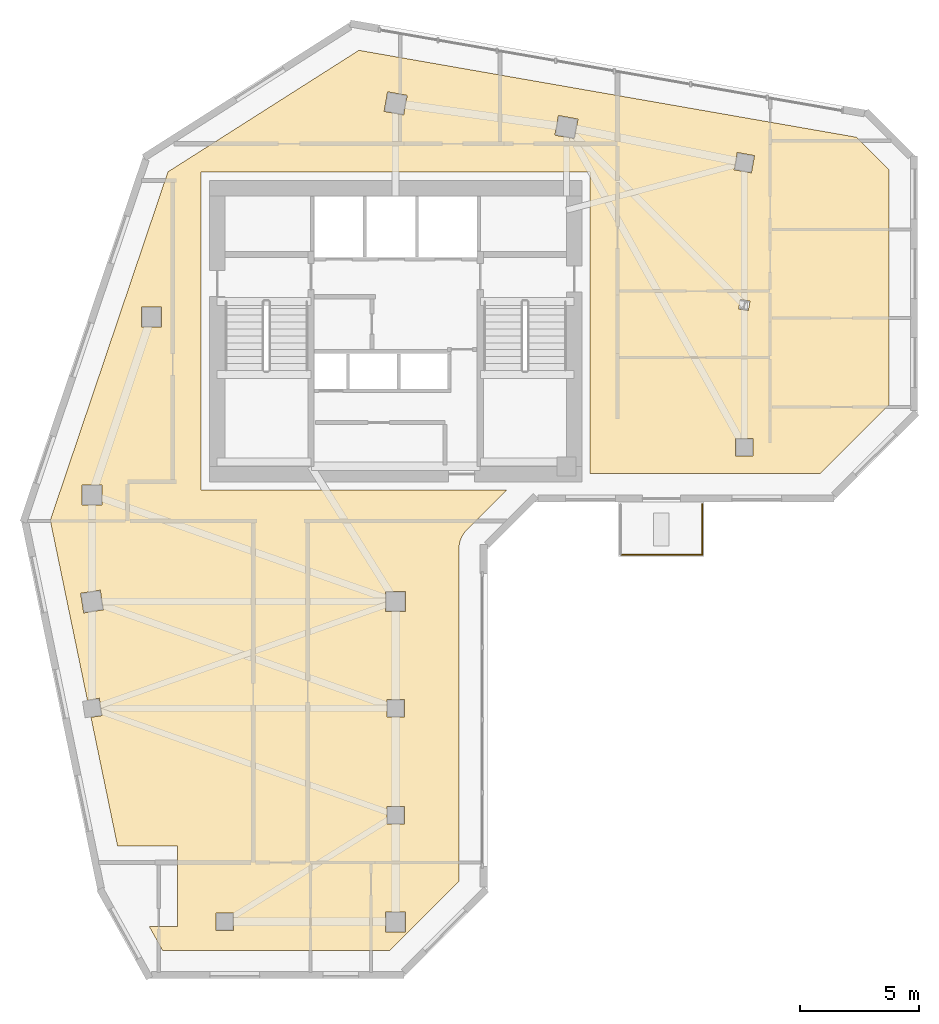
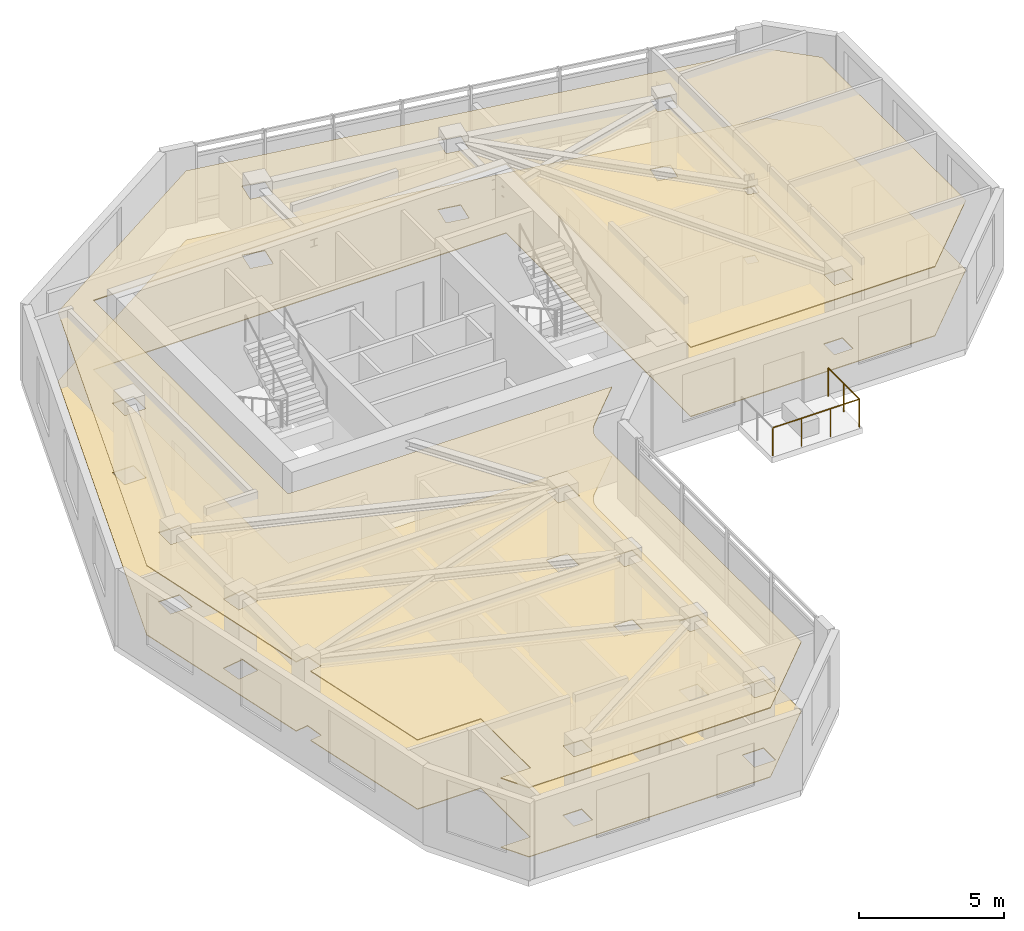
# One storey, part 8 of 9: 2 coverings, 2 railings.
"""IFC4 building model written with IfcOpenShell, lengths in metres."""

import ifcopenshell
import ifcopenshell.guid

model = None  # the IFC model being written
_history = None  # IfcOwnerHistory: only IFC2X3 demands one
_inside = {}  # id of a spatial element -> (the spatial element, [elements in it])
_under = {}  # id of a project, library or spatial element -> (it, [spatial elements below it])
_declared = {}  # id of a project -> (the project, [libraries it declares])
_typed = {}  # id of a type object -> (the type object, [elements of that type])
_made_of = {}  # id of a material, layer set ... -> (it, [elements and type objects made of it])


def new_model(schema):
    """Start an empty IFC model of exactly this schema.

    Asked for "IFC4X3", IfcOpenShell would pick the latest addendum, in which some entities
    have other attributes; the version numbers below select the first issue.
    IFC2X3 requires an IfcOwnerHistory on every rooted entity: one is made here for all.
    """
    global model, _history
    if schema == "IFC4X3":
        model = ifcopenshell.file(schema_version=(4, 3, 0, 0))
    else:
        model = ifcopenshell.file(schema=schema)
    _inside.clear()
    _under.clear()
    _declared.clear()
    _typed.clear()
    _made_of.clear()
    _history = None
    if model.schema == "IFC2X3":
        org = make("IfcOrganization", Name="unknown")
        user = make(
            "IfcPersonAndOrganization",
            ThePerson=make("IfcPerson", FamilyName="unknown"),
            TheOrganization=org,
        )
        app = make(
            "IfcApplication",
            ApplicationDeveloper=org,
            Version="unknown",
            ApplicationFullName="unknown",
            ApplicationIdentifier="unknown",
        )
        _history = make(
            "IfcOwnerHistory",
            OwningUser=user,
            OwningApplication=app,
            ChangeAction="ADDED",
            CreationDate=0,
        )
    return model


def make(cls, **values):
    """One entity of the class cls with the attributes given. An attribute that is None is left unset."""
    return model.create_entity(
        cls, **{name: value for name, value in values.items() if value is not None}
    )


def rooted(cls, **values):
    """An entity with a GlobalId (a new one), such as an element, a storey or a relation."""
    return make(cls, GlobalId=ifcopenshell.guid.new(), OwnerHistory=_history, **values)


def si_unit(unit_type, name, prefix=None):
    """IfcSIUnit, for example si_unit("LENGTHUNIT", "METRE", prefix="MILLI")."""
    return make("IfcSIUnit", UnitType=unit_type, Prefix=prefix, Name=name)


def assignment(units):
    """IfcUnitAssignment: the units of a project."""
    return None if units is None else make("IfcUnitAssignment", Units=units)


def point(xyz):
    """IfcCartesianPoint."""
    return None if xyz is None else make("IfcCartesianPoint", Coordinates=xyz)


def direction(xyz):
    """IfcDirection."""
    return None if xyz is None else make("IfcDirection", DirectionRatios=xyz)


def frame(location, z_axis=None, x_axis=None):
    """IfcAxis2Placement3D, a coordinate frame: its origin and axes. An axis left out is left unset."""
    return make(
        "IfcAxis2Placement3D",
        Location=point(location),
        Axis=direction(z_axis),
        RefDirection=direction(x_axis),
    )


def frame_2d(location, x_axis=None):
    """IfcAxis2Placement2D, a coordinate frame in the plane: its origin and x axis."""
    return make(
        "IfcAxis2Placement2D", Location=point(location), RefDirection=direction(x_axis)
    )


def origin():
    """The frame at (0, 0, 0) with its axes left unset."""
    return frame((0.0, 0.0, 0.0))


def origin_2d():
    """The frame at (0, 0) in the plane with its x axis left unset."""
    return frame_2d((0.0, 0.0))


def place(relative_to, where):
    """IfcLocalPlacement: puts the frame where relative to a parent placement (None: the world)."""
    return make(
        "IfcLocalPlacement", PlacementRelTo=relative_to, RelativePlacement=where
    )


def context(
    kind, dimensions, precision=None, world=None, true_north=None, identifier=None
):
    """IfcGeometricRepresentationContext, for example the 3D "Model" context."""
    return make(
        "IfcGeometricRepresentationContext",
        ContextIdentifier=identifier,
        ContextType=kind,
        CoordinateSpaceDimension=dimensions,
        Precision=precision,
        WorldCoordinateSystem=world,
        TrueNorth=true_north,
    )


def subcontext(parent, identifier, kind, view, scale=None):
    """IfcGeometricRepresentationSubContext, for example "Body" below "Model"."""
    return make(
        "IfcGeometricRepresentationSubContext",
        ContextIdentifier=identifier,
        ContextType=kind,
        ParentContext=parent,
        TargetScale=scale,
        TargetView=view,
    )


def project(units=None, contexts=None):
    """IfcProject with its units and contexts."""
    return rooted(
        "IfcProject",
        Name="project",
        RepresentationContexts=contexts,
        UnitsInContext=assignment(units),
    )


def spatial(cls, under=None, at=None, **own):
    """A site, building, storey or space (cls), placed at a placement, below another one or the project."""
    s = rooted(cls, ObjectPlacement=at, **own)
    if under is not None:
        _under.setdefault(under.id(), (under, []))[1].append(s)
    return s


def polyline(points):
    """IfcPolyline through the points."""
    return make("IfcPolyline", Points=[point(p) for p in points])


def profile(cls, at=None, kind="AREA", **sizes):
    """A parametric profile (cls). Its sizes go by their IFC names, for example OverallWidth=200.0."""
    return make(cls, ProfileType=kind, Position=at, **sizes)


def circle(**sizes):
    """IfcCircleProfileDef."""
    return profile("IfcCircleProfileDef", **sizes)


def outline(outer, holes=None, kind="AREA"):
    """IfcArbitraryClosedProfileDef: a profile drawn as a closed curve; with holes, ...WithVoids."""
    if holes is None:
        return make("IfcArbitraryClosedProfileDef", ProfileType=kind, OuterCurve=outer)
    return make(
        "IfcArbitraryProfileDefWithVoids",
        ProfileType=kind,
        OuterCurve=outer,
        InnerCurves=holes,
    )


def extrude(swept, where, along, depth):
    """IfcExtrudedAreaSolid: the profile swept, set in the frame where, extruded along a direction by depth."""
    return make(
        "IfcExtrudedAreaSolid",
        SweptArea=swept,
        Position=where,
        ExtrudedDirection=direction(along),
        Depth=depth,
    )


def shape(context_of_items, identifier, shape_type, items):
    """IfcShapeRepresentation: the items that make up one representation, for example the "Body"."""
    return make(
        "IfcShapeRepresentation",
        ContextOfItems=context_of_items,
        RepresentationIdentifier=identifier,
        RepresentationType=shape_type,
        Items=items,
    )


def material(Name=None, Category=None):
    """IfcMaterial."""
    return make("IfcMaterial", Name=Name, Category=Category)


def layer(
    of_material, thickness, ventilated=None, Name=None, Category=None, Priority=None
):
    """IfcMaterialLayer: one layer of a wall or slab, of a material (None: an air gap)."""
    return make(
        "IfcMaterialLayer",
        Material=of_material,
        LayerThickness=thickness,
        IsVentilated=ventilated,
        Name=Name,
        Category=Category,
        Priority=Priority,
    )


def layer_set(layers, Name=None):
    """IfcMaterialLayerSet."""
    return make("IfcMaterialLayerSet", MaterialLayers=layers, LayerSetName=Name)


def made_of(thing, what):
    """Note that an element or type object is made of a material, layer set ...; save() writes the relation."""
    if what is not None:
        _made_of.setdefault(what.id(), (what, []))[1].append(thing)
    return thing


def type_object(cls, material=None, **own):
    """A type object (cls), such as IfcWallType, which elements share."""
    return made_of(rooted(cls, **own), material)


def element(
    cls,
    number,
    at=None,
    inside=None,
    cuts=None,
    type_object=None,
    material=None,
    context=None,
    identifier="Body",
    shape_type=None,
    held_by="IfcProductDefinitionShape",
    body=None,
    shapes=None,
    **own,
):
    """One element of the class cls, such as IfcWall. Its Tag is "e" and its number.

    at: its placement. inside: the storey or other place that contains it. cuts: it is an
    opening in that element (IfcRelVoidsElement). A single representation is given by context,
    identifier, shape_type and body (its items); several are given by shapes. held_by: the class
    of the entity that holds the representations. save() writes the other relations.
    """
    e = rooted(cls, Tag="e%d" % number, ObjectPlacement=at, **own)
    if body is not None:
        shapes = [shape(context, identifier, shape_type, body)]
    if shapes is not None:
        e.Representation = make(held_by, Representations=shapes)
    if inside is not None:
        _inside.setdefault(inside.id(), (inside, []))[1].append(e)
    if cuts is not None:
        rooted(
            "IfcRelVoidsElement", RelatingBuildingElement=cuts, RelatedOpeningElement=e
        )
    if type_object is not None:
        _typed.setdefault(type_object.id(), (type_object, []))[1].append(e)
    return made_of(e, material)


def aggregate(whole, parts):
    """IfcRelAggregates: a whole, such as a stair, and the parts it consists of."""
    return rooted("IfcRelAggregates", RelatingObject=whole, RelatedObjects=parts)


def save(model, path):
    """Write the relations noted so far, then the file.

    IfcRelAggregates (storeys below a building ...), IfcRelContainedInSpatialStructure (elements
    in a storey), IfcRelDefinesByType, IfcRelAssociatesMaterial and IfcRelDeclares: one each for
    every whole, place, type object, material and project.
    """
    for whole, parts in _under.values():
        aggregate(whole, parts)
    for where, things in _inside.values():
        rooted(
            "IfcRelContainedInSpatialStructure",
            RelatedElements=things,
            RelatingStructure=where,
        )
    for kind, things in _typed.values():
        rooted("IfcRelDefinesByType", RelatedObjects=things, RelatingType=kind)
    for what, things in _made_of.values():
        rooted("IfcRelAssociatesMaterial", RelatedObjects=things, RelatingMaterial=what)
    for by, libraries in _declared.values():
        rooted("IfcRelDeclares", RelatingContext=by, RelatedDefinitions=libraries)
    model.write(path)


model = new_model("IFC4")

# Units and contexts
model_context = context("Model", 3, precision=1e-05, world=origin(), true_north=direction((0.0, 1.0)))
body_context = subcontext(model_context, "Body", "Model", "MODEL_VIEW")
ifc_project = project(units=[si_unit("LENGTHUNIT", "METRE"), si_unit("AREAUNIT", "SQUARE_METRE"), si_unit("VOLUMEUNIT", "CUBIC_METRE"), si_unit("PLANEANGLEUNIT", "RADIAN"), si_unit("MASSUNIT", "GRAM", prefix="KILO")], contexts=[model_context])

# Site, building, storey
site_placement = place(None, origin())
site = spatial("IfcSite", under=ifc_project, at=site_placement, CompositionType="ELEMENT")
building_placement = place(site_placement, origin())
building = spatial("IfcBuilding", under=site, at=building_placement, Name="Calvemar Wedge Station Tower", CompositionType="ELEMENT")
storey_placement = place(building_placement, frame((0.0, 0.0, 232.39990234375)))
storey = spatial("IfcBuildingStorey", under=building, at=storey_placement, Name="L59", CompositionType="ELEMENT", Elevation=232.39990234375)

# Coverings
ifc_material_1 = material(Name="Acoustic mineral fibre ceiling board")
ifc_layer_1 = layer(ifc_material_1, 0.0400390625)
ifc_layer_set_1 = layer_set([ifc_layer_1], Name="Acoustic mineral fibre ceiling board")
covering_type_1 = type_object("IfcCoveringType", Name="COV-CEIL-ACOUSTIC", PredefinedType="CEILING", material=ifc_layer_set_1)
covering_1_placement = place(storey_placement, frame((0.0, 0.0, 2.900146484375)))
element("IfcCovering", 1, at=covering_1_placement, inside=storey, type_object=covering_type_1, Name="Storey L59 Acoustic Suspended Ceiling", PredefinedType="CEILING", context=body_context, shape_type="SweptSolid", body=[
    extrude(outline(polyline([(26.666259765625, 31.358642578125), (26.736328125, 31.453369140625), (26.8154296875, 31.54052734375), (28.474853515625, 33.199951171875), (15.60009765625, 33.199951171875), (15.60009765625, 46.60009765625), (32.0, 46.60009765625), (32.0, 33.89208984375), (41.702880859375, 33.89208984375), (44.60009765625, 36.7890625), (44.60009765625, 46.69482421875), (43.2197265625, 48.0751953125), (22.251708984375, 51.73779296875), (14.201416015625, 46.614990234375), (9.240966796875, 31.92431640625), (10.806884765625, 24.34375), (11.306884765625, 24.423828125), (11.423828125, 23.693115234375), (10.956787109375, 23.618408203125), (12.076171875, 18.199951171875), (14.60009765625, 18.199951171875), (14.60009765625, 14.800048828125), (13.41455078125, 14.800048828125), (13.97021484375, 13.800048828125), (23.56689453125, 13.800048828125), (26.464111328125, 16.697021484375), (26.464111328125, 30.69189453125), (26.4697265625, 30.8095703125), (26.487060546875, 30.926025390625), (26.515625, 31.040283203125), (26.555419921875, 31.151123046875), (26.605712890625, 31.2578125), (26.666259765625, 31.358642578125)]), holes=[polyline([(11.419921875, 33.419921875), (11.419921875, 32.580078125), (10.580078125, 32.580078125), (10.580078125, 33.419921875), (11.419921875, 33.419921875)]), polyline([(13.919921875, 40.080078125), (13.080078125, 40.080078125), (13.080078125, 40.919921875), (13.919921875, 40.919921875), (13.919921875, 40.080078125)]), polyline([(23.312255859375, 49.160888671875), (23.4609375, 49.98779296875), (24.28759765625, 49.839111328125), (24.138916015625, 49.01220703125), (23.312255859375, 49.160888671875)]), polyline([(30.660888671875, 48.98779296875), (31.48779296875, 48.839111328125), (31.339111328125, 48.01220703125), (30.51220703125, 48.160888671875), (30.660888671875, 48.98779296875)]), polyline([(38.9296875, 47.298583984375), (38.798583984375, 46.5703125), (38.0703125, 46.701416015625), (38.201416015625, 47.4296875), (38.9296875, 47.298583984375)]), polyline([(38.8701171875, 34.6298828125), (38.1298828125, 34.6298828125), (38.1298828125, 35.3701171875), (38.8701171875, 35.3701171875), (38.8701171875, 34.6298828125)]), polyline([(38.259765625, 40.833984375), (38.332763671875, 41.239501953125), (38.740234375, 41.166015625), (38.667236328125, 40.760498046875), (38.259765625, 40.833984375)]), polyline([(11.348388671875, 28.981201171875), (11.481201171875, 28.151611328125), (10.651611328125, 28.018798828125), (10.518798828125, 28.848388671875), (11.348388671875, 28.981201171875)]), polyline([(24.219970703125, 28.080078125), (23.3798828125, 28.080078125), (23.3798828125, 28.919921875), (24.219970703125, 28.919921875), (24.219970703125, 28.080078125)]), polyline([(23.429931640625, 23.6298828125), (23.429931640625, 24.3701171875), (24.169921875, 24.3701171875), (24.169921875, 23.6298828125), (23.429931640625, 23.6298828125)]), polyline([(23.429931640625, 19.8701171875), (24.169921875, 19.8701171875), (24.169921875, 19.1298828125), (23.429931640625, 19.1298828125), (23.429931640625, 19.8701171875)]), polyline([(24.219970703125, 15.419921875), (24.219970703125, 14.580078125), (23.3798828125, 14.580078125), (23.3798828125, 15.419921875), (24.219970703125, 15.419921875)]), polyline([(16.969970703125, 14.6298828125), (16.22998046875, 14.6298828125), (16.22998046875, 15.3701171875), (16.969970703125, 15.3701171875), (16.969970703125, 14.6298828125)])]), origin(), (0.0, 0.0, 1.0), 0.0400390625),
])
ifc_material_2 = material(Name="Honed coastal granite stone tile", Category="masonry")
ifc_layer_2 = layer(ifc_material_2, 0.030029296875)
ifc_layer_set_2 = layer_set([ifc_layer_2], Name="Honed coastal granite stone tile")
covering_type_2 = type_object("IfcCoveringType", Name="COV-FLR-STONE", PredefinedType="FLOORING", material=ifc_layer_set_2)
covering_2_placement = place(storey_placement, origin())
element("IfcCovering", 2, at=covering_2_placement, inside=storey, type_object=covering_type_2, Name="Storey L59 Architectural Floor Finish", PredefinedType="FLOORING", context=body_context, shape_type="SweptSolid", body=[
    extrude(outline(polyline([(26.666259765625, 31.358642578125), (26.736328125, 31.453369140625), (26.8154296875, 31.54052734375), (28.474853515625, 33.199951171875), (15.60009765625, 33.199951171875), (15.60009765625, 46.60009765625), (32.0, 46.60009765625), (32.0, 33.89208984375), (41.702880859375, 33.89208984375), (44.60009765625, 36.7890625), (44.60009765625, 46.69482421875), (43.2197265625, 48.0751953125), (22.251708984375, 51.73779296875), (14.201416015625, 46.614990234375), (9.240966796875, 31.92431640625), (10.806884765625, 24.34375), (11.306884765625, 24.423828125), (11.423828125, 23.693115234375), (10.956787109375, 23.618408203125), (12.076171875, 18.199951171875), (14.60009765625, 18.199951171875), (14.60009765625, 14.800048828125), (13.41455078125, 14.800048828125), (13.97021484375, 13.800048828125), (23.56689453125, 13.800048828125), (26.464111328125, 16.697021484375), (26.464111328125, 30.69189453125), (26.4697265625, 30.8095703125), (26.487060546875, 30.926025390625), (26.515625, 31.040283203125), (26.555419921875, 31.151123046875), (26.605712890625, 31.2578125), (26.666259765625, 31.358642578125)]), holes=[polyline([(11.419921875, 33.419921875), (11.419921875, 32.580078125), (10.580078125, 32.580078125), (10.580078125, 33.419921875), (11.419921875, 33.419921875)]), polyline([(13.919921875, 40.080078125), (13.080078125, 40.080078125), (13.080078125, 40.919921875), (13.919921875, 40.919921875), (13.919921875, 40.080078125)]), polyline([(23.312255859375, 49.160888671875), (23.4609375, 49.98779296875), (24.28759765625, 49.839111328125), (24.138916015625, 49.01220703125), (23.312255859375, 49.160888671875)]), polyline([(30.660888671875, 48.98779296875), (31.48779296875, 48.839111328125), (31.339111328125, 48.01220703125), (30.51220703125, 48.160888671875), (30.660888671875, 48.98779296875)]), polyline([(38.9296875, 47.298583984375), (38.798583984375, 46.5703125), (38.0703125, 46.701416015625), (38.201416015625, 47.4296875), (38.9296875, 47.298583984375)]), polyline([(38.8701171875, 34.6298828125), (38.1298828125, 34.6298828125), (38.1298828125, 35.3701171875), (38.8701171875, 35.3701171875), (38.8701171875, 34.6298828125)]), polyline([(38.259765625, 40.833984375), (38.332763671875, 41.239501953125), (38.740234375, 41.166015625), (38.667236328125, 40.760498046875), (38.259765625, 40.833984375)]), polyline([(11.348388671875, 28.981201171875), (11.481201171875, 28.151611328125), (10.651611328125, 28.018798828125), (10.518798828125, 28.848388671875), (11.348388671875, 28.981201171875)]), polyline([(24.219970703125, 28.080078125), (23.3798828125, 28.080078125), (23.3798828125, 28.919921875), (24.219970703125, 28.919921875), (24.219970703125, 28.080078125)]), polyline([(23.429931640625, 23.6298828125), (23.429931640625, 24.3701171875), (24.169921875, 24.3701171875), (24.169921875, 23.6298828125), (23.429931640625, 23.6298828125)]), polyline([(23.429931640625, 19.8701171875), (24.169921875, 19.8701171875), (24.169921875, 19.1298828125), (23.429931640625, 19.1298828125), (23.429931640625, 19.8701171875)]), polyline([(24.219970703125, 15.419921875), (24.219970703125, 14.580078125), (23.3798828125, 14.580078125), (23.3798828125, 15.419921875), (24.219970703125, 15.419921875)]), polyline([(16.969970703125, 14.6298828125), (16.22998046875, 14.6298828125), (16.22998046875, 15.3701171875), (16.969970703125, 15.3701171875), (16.969970703125, 14.6298828125)])]), origin(), (0.0, 0.0, 1.0), 0.030029296875),
])

# Railings
ifc_material_3 = material(Name="Stainless steel AISI 316L", Category="steel")
railing_type = type_object("IfcRailingType", Name="GRD-TERR-1200", PredefinedType="GUARDRAIL", material=ifc_material_3)
railing_1_placement = place(storey_placement, frame((36.719970703125, 32.612060546875, 0.0)))
element("IfcRailing", 3, at=railing_1_placement, inside=storey, type_object=railing_type, Name="Storey L59 Spiral Terrace Guard 2", PredefinedType="GUARDRAIL", context=body_context, shape_type="SweptSolid", body=[
    extrude(circle(Radius=0.02392578125, at=origin_2d()), frame((0.0, 0.0, 1.17578125), z_axis=(0.0, -1.0, 0.0), x_axis=(1.0, 0.0, 0.0)), (0.0, 0.0, 1.0), 2.14013671875),
    extrude(circle(Radius=0.02099609375, at=origin_2d()), origin(), (0.0, 0.0, 1.0), 1.15185546875),
    extrude(circle(Radius=0.02099609375, at=origin_2d()), frame((0.0, -1.070068359375, 0.0)), (0.0, 0.0, 1.0), 1.15185546875),
    extrude(circle(Radius=0.02099609375, at=origin_2d()), frame((0.0, -2.14013671875, 0.0)), (0.0, 0.0, 1.0), 1.15185546875),
])
railing_2_placement = place(storey_placement, frame((36.719970703125, 30.471923828125, 0.0)))
element("IfcRailing", 4, at=railing_2_placement, inside=storey, type_object=railing_type, Name="Storey L59 Spiral Terrace Guard 3", PredefinedType="GUARDRAIL", context=body_context, shape_type="SweptSolid", body=[
    extrude(circle(Radius=0.02392578125, at=origin_2d()), frame((0.0, 0.0, 1.17578125), z_axis=(-1.0, 0.0, 0.0), x_axis=(0.0, -1.0, 0.0)), (0.0, 0.0, 1.0), 3.43994140625),
    extrude(circle(Radius=0.02099609375, at=origin_2d()), origin(), (0.0, 0.0, 1.0), 1.15185546875),
    extrude(circle(Radius=0.02099609375, at=origin_2d()), frame((-1.146728515625, 0.0, 0.0)), (0.0, 0.0, 1.0), 1.15185546875),
    extrude(circle(Radius=0.02099609375, at=origin_2d()), frame((-2.293212890625, 0.0, 0.0)), (0.0, 0.0, 1.0), 1.15185546875),
    extrude(circle(Radius=0.02099609375, at=origin_2d()), frame((-3.43994140625, 0.0, 0.0)), (0.0, 0.0, 1.0), 1.15185546875),
])

save(model, "model.ifc")
